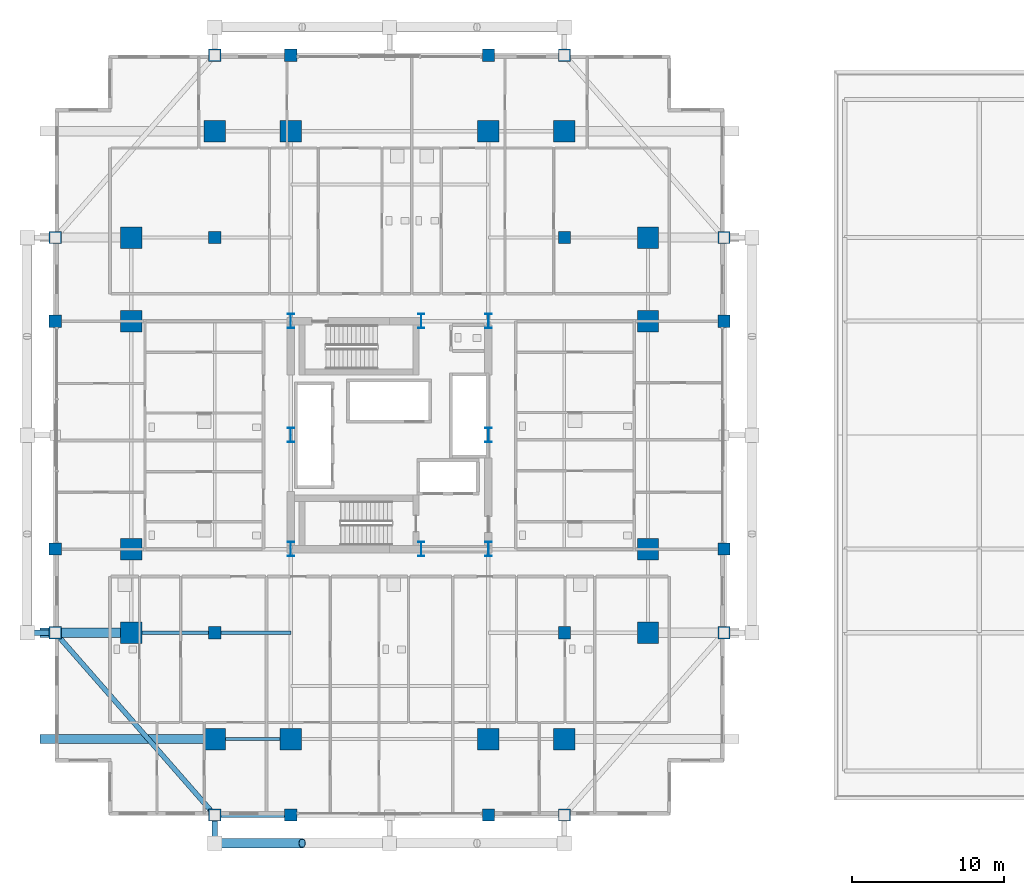
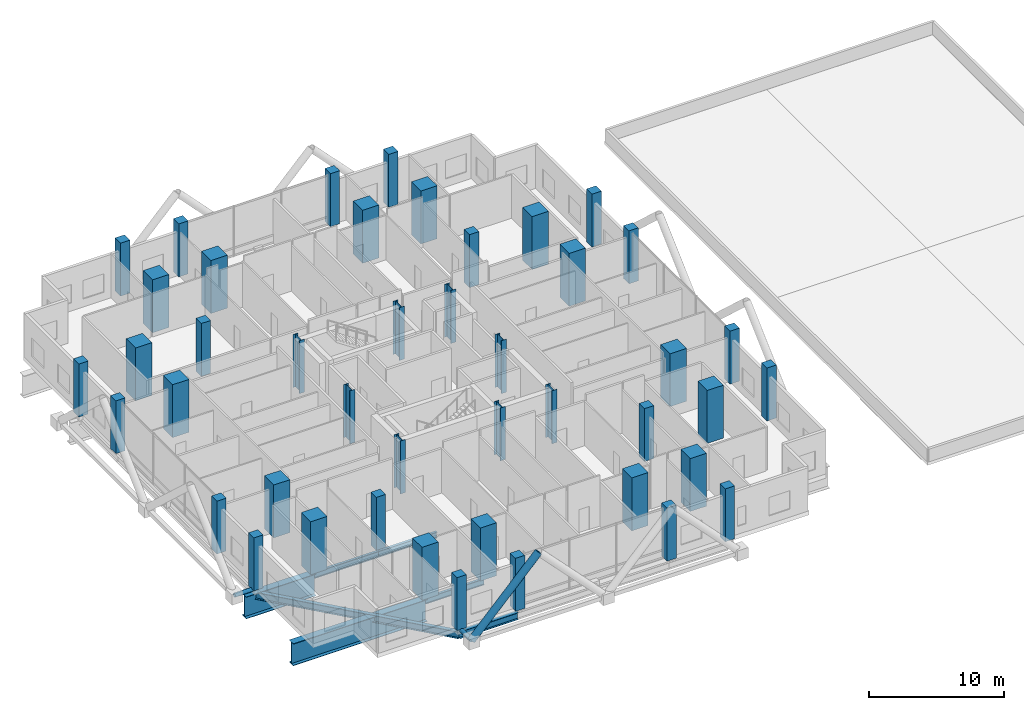
# One storey, part 1 of 33: 44 columns, 7 beams, 3 members.
"""IFC4 building model written with IfcOpenShell, lengths in metres."""

from ifc_helpers import new_model, si_unit, direction, frame, origin, origin_2d, place, context, subcontext, project, spatial, rectangle, hollow_circle, i_section, extrude, material, material_profile, profile_set, type_object, element, save


model = new_model("IFC4")

# Units and contexts
model_context = context("Model", 3, precision=1e-05, world=origin(), true_north=direction((0.0, 1.0)))
body_context = subcontext(model_context, "Body", "Model", "MODEL_VIEW")
ifc_project = project(units=[si_unit("LENGTHUNIT", "METRE"), si_unit("AREAUNIT", "SQUARE_METRE"), si_unit("VOLUMEUNIT", "CUBIC_METRE"), si_unit("PLANEANGLEUNIT", "RADIAN"), si_unit("MASSUNIT", "GRAM", prefix="KILO")], contexts=[model_context])

# Site, building, storey
site_placement = place(None, origin())
site = spatial("IfcSite", under=ifc_project, at=site_placement, CompositionType="ELEMENT")
building_placement = place(site_placement, origin())
building = spatial("IfcBuilding", under=site, at=building_placement, Name="Barlavira Tower and Art Museum", CompositionType="ELEMENT")
storey_placement = place(building_placement, frame((0.0, 0.0, 27.60009765625)))
storey = spatial("IfcBuildingStorey", under=building, at=storey_placement, Name="L05", CompositionType="ELEMENT", Elevation=27.60009765625)

# Columns
ifc_material_1 = material(Name="Steel S355", Category="steel")
ifc_material_profile_1 = material_profile(ifc_material_1, i_section(OverallWidth=0.419921875, OverallDepth=0.9599609375, WebThickness=0.02197265625, FlangeThickness=0.033935546875, at=origin_2d()), Name="W920x387.0")
ifc_profile_set_1 = profile_set([ifc_material_profile_1], Name="Steel S355")
column_type_1 = type_object("IfcColumnType", Name="Core Composite Column W920x387 Steel S355", PredefinedType="COLUMN", material=ifc_profile_set_1)
for number, where, z_axis, x_axis, name in (
    (1, (-6.5, -7.5, 0.0), (0.0, 0.0, 1.0), (1.0, 0.0, 0.0), "L05 Column CC-L05-C1"),
    (2, (2.080078125, -7.5, 0.0), (0.0, 0.0, 1.0), (1.0, 0.0, 0.0), "L05 Column CC-L05-C2"),
    (3, (6.5, -7.5, 0.0), (0.0, 0.0, 1.0), (1.0, 0.0, 0.0), "L05 Column CC-L05-C3"),
    (4, (-6.5, 0.0, 0.0), (0.0, 0.0, 1.0), (1.0, 0.0, 0.0), "L05 Column CC-L05-C4"),
    (5, (6.5, 0.0, 0.0), (0.0, 0.0, 1.0), (1.0, 0.0, 0.0), "L05 Column CC-L05-C5"),
    (6, (-6.5, 7.5, 0.0), (0.0, 0.0, 1.0), (1.0, 0.0, 0.0), "L05 Column CC-L05-C6"),
    (7, (2.080078125, 7.5, 0.0), (0.0, 0.0, 1.0), (1.0, 0.0, 0.0), "L05 Column CC-L05-C7"),
    (8, (6.5, 7.5, 0.0), (0.0, 0.0, 1.0), (1.0, 0.0, 0.0), "L05 Column CC-L05-C8"),
):
    element("IfcColumn", number, at=place(storey_placement, frame(where, z_axis=z_axis, x_axis=x_axis)), inside=storey, type_object=column_type_1, Name=name, PredefinedType="COLUMN", context=body_context, shape_type="SweptSolid", body=[
        extrude(i_section(OverallWidth=0.419921875, OverallDepth=0.9599609375, WebThickness=0.02197265625, FlangeThickness=0.033935546875, at=origin_2d()), origin(), (0.0, 0.0, 1.0), 4.7998046875),
    ])
ifc_material_2 = material(Name="Concrete C60", Category="concrete")
ifc_material_profile_2 = material_profile(ifc_material_2, rectangle(XDim=1.39990234375, YDim=1.39990234375, at=origin_2d()), Name="RC-MCOL 1400x1400")
ifc_profile_set_2 = profile_set([ifc_material_profile_2], Name="Concrete C60")
column_type_2 = type_object("IfcColumnType", Name="Perimeter Mega Column 1400x1400 Concrete C60", PredefinedType="USERDEFINED", material=ifc_profile_set_2)
for number, where, z_axis, x_axis, name in (
    (9, (-11.5, -20.0, 0.0), (0.0, 0.0, 1.0), (1.0, 0.0, 0.0), "L05 Column MC-L05-M01"),
    (10, (-6.5, -20.0, 0.0), (0.0, 0.0, 1.0), (1.0, 0.0, 0.0), "L05 Column MC-L05-M02"),
    (11, (6.5, -20.0, 0.0), (0.0, 0.0, 1.0), (1.0, 0.0, 0.0), "L05 Column MC-L05-M03"),
    (12, (11.5, -20.0, 0.0), (0.0, 0.0, 1.0), (1.0, 0.0, 0.0), "L05 Column MC-L05-M04"),
    (13, (17.0, -13.0, 0.0), (0.0, 0.0, 1.0), (1.0, 0.0, 0.0), "L05 Column MC-L05-M05"),
    (14, (17.0, -7.5, 0.0), (0.0, 0.0, 1.0), (1.0, 0.0, 0.0), "L05 Column MC-L05-M06"),
    (15, (17.0, 7.5, 0.0), (0.0, 0.0, 1.0), (1.0, 0.0, 0.0), "L05 Column MC-L05-M07"),
    (16, (17.0, 13.0, 0.0), (0.0, 0.0, 1.0), (1.0, 0.0, 0.0), "L05 Column MC-L05-M08"),
    (17, (11.5, 20.0, 0.0), (0.0, 0.0, 1.0), (1.0, 0.0, 0.0), "L05 Column MC-L05-M09"),
    (18, (6.5, 20.0, 0.0), (0.0, 0.0, 1.0), (1.0, 0.0, 0.0), "L05 Column MC-L05-M10"),
    (19, (-6.5, 20.0, 0.0), (0.0, 0.0, 1.0), (1.0, 0.0, 0.0), "L05 Column MC-L05-M11"),
    (20, (-11.5, 20.0, 0.0), (0.0, 0.0, 1.0), (1.0, 0.0, 0.0), "L05 Column MC-L05-M12"),
    (21, (-17.0, 13.0, 0.0), (0.0, 0.0, 1.0), (1.0, 0.0, 0.0), "L05 Column MC-L05-M13"),
    (22, (-17.0, 7.5, 0.0), (0.0, 0.0, 1.0), (1.0, 0.0, 0.0), "L05 Column MC-L05-M14"),
    (23, (-17.0, -7.5, 0.0), (0.0, 0.0, 1.0), (1.0, 0.0, 0.0), "L05 Column MC-L05-M15"),
    (24, (-17.0, -13.0, 0.0), (0.0, 0.0, 1.0), (1.0, 0.0, 0.0), "L05 Column MC-L05-M16"),
):
    element("IfcColumn", number, at=place(storey_placement, frame(where, z_axis=z_axis, x_axis=x_axis)), inside=storey, type_object=column_type_2, Name=name, ObjectType="MEGA COLUMN", PredefinedType="USERDEFINED", context=body_context, shape_type="SweptSolid", body=[
        extrude(rectangle(XDim=1.39990234375, YDim=1.39990234375, at=origin_2d()), origin(), (0.0, 0.0, 1.0), 4.7998046875),
    ])
ifc_material_3 = material(Name="Concrete C50", Category="concrete")
ifc_material_profile_3 = material_profile(ifc_material_3, rectangle(XDim=0.800048828125, YDim=0.800048828125, at=origin_2d()), Name="RC-COL 800x800")
ifc_profile_set_3 = profile_set([ifc_material_profile_3], Name="Concrete C50")
column_type_3 = type_object("IfcColumnType", Name="Podium Frame Column 800x800 Concrete C50", PredefinedType="COLUMN", material=ifc_profile_set_3)
for number, where, z_axis, x_axis, name in (
    (25, (-11.5, -13.0, 0.0), (0.0, 0.0, 1.0), (1.0, 0.0, 0.0), "L05 Column CI-L05-I1"),
    (26, (11.5, -13.0, 0.0), (0.0, 0.0, 1.0), (1.0, 0.0, 0.0), "L05 Column CI-L05-I2"),
    (27, (-11.5, 13.0, 0.0), (0.0, 0.0, 1.0), (1.0, 0.0, 0.0), "L05 Column CI-L05-I3"),
    (28, (11.5, 13.0, 0.0), (0.0, 0.0, 1.0), (1.0, 0.0, 0.0), "L05 Column CI-L05-I4"),
    (29, (-11.5, -25.0, 0.0), (0.0, 0.0, 1.0), (1.0, 0.0, 0.0), "L05 Column CZ1-L05-N01"),
    (30, (-6.5, -25.0, 0.0), (0.0, 0.0, 1.0), (1.0, 0.0, 0.0), "L05 Column CZ1-L05-N02"),
    (31, (6.5, -25.0, 0.0), (0.0, 0.0, 1.0), (1.0, 0.0, 0.0), "L05 Column CZ1-L05-N02B"),
    (32, (11.5, -25.0, 0.0), (0.0, 0.0, 1.0), (1.0, 0.0, 0.0), "L05 Column CZ1-L05-N03"),
    (33, (-22.0, -13.0, 0.0), (0.0, 0.0, 1.0), (1.0, 0.0, 0.0), "L05 Column CZ1-L05-N04"),
    (34, (-22.0, -7.5, 0.0), (0.0, 0.0, 1.0), (1.0, 0.0, 0.0), "L05 Column CZ1-L05-N05"),
    (35, (-22.0, 7.5, 0.0), (0.0, 0.0, 1.0), (1.0, 0.0, 0.0), "L05 Column CZ1-L05-N05B"),
    (36, (-22.0, 13.0, 0.0), (0.0, 0.0, 1.0), (1.0, 0.0, 0.0), "L05 Column CZ1-L05-N06"),
    (37, (-11.5, 25.0, 0.0), (0.0, 0.0, 1.0), (1.0, 0.0, 0.0), "L05 Column CZ1-L05-N07"),
    (38, (-6.5, 25.0, 0.0), (0.0, 0.0, 1.0), (1.0, 0.0, 0.0), "L05 Column CZ1-L05-N08"),
    (39, (6.5, 25.0, 0.0), (0.0, 0.0, 1.0), (1.0, 0.0, 0.0), "L05 Column CZ1-L05-N08B"),
    (40, (11.5, 25.0, 0.0), (0.0, 0.0, 1.0), (1.0, 0.0, 0.0), "L05 Column CZ1-L05-N09"),
    (41, (22.0, -13.0, 0.0), (0.0, 0.0, 1.0), (1.0, 0.0, 0.0), "L05 Column CZ1-L05-N10"),
    (42, (22.0, -7.5, 0.0), (0.0, 0.0, 1.0), (1.0, 0.0, 0.0), "L05 Column CZ1-L05-N11"),
    (43, (22.0, 7.5, 0.0), (0.0, 0.0, 1.0), (1.0, 0.0, 0.0), "L05 Column CZ1-L05-N11B"),
    (44, (22.0, 13.0, 0.0), (0.0, 0.0, 1.0), (1.0, 0.0, 0.0), "L05 Column CZ1-L05-N12"),
):
    element("IfcColumn", number, at=place(storey_placement, frame(where, z_axis=z_axis, x_axis=x_axis)), inside=storey, type_object=column_type_3, Name=name, PredefinedType="COLUMN", context=body_context, shape_type="SweptSolid", body=[
        extrude(rectangle(XDim=0.800048828125, YDim=0.800048828125, at=origin_2d()), origin(), (0.0, 0.0, 1.0), 4.7998046875),
    ])

# Members
ifc_material_profile_4 = material_profile(ifc_material_1, hollow_circle(Radius=0.304931640625, WallThickness=0.028076171875, at=origin_2d()), Name="CHS 610.0x28.0")
ifc_profile_set_4 = profile_set([ifc_material_profile_4], Name="Steel S355")
member_type_1 = type_object("IfcMemberType", Name="Pale-Metal Exoskeleton Diagrid Tube CHS 610x28 Steel S355", PredefinedType="BRACE", material=ifc_profile_set_4)
member_placement = place(storey_placement, frame((-11.5, -26.85009765625, -0.1201171875), z_axis=(0.691905363236, 0.0, 0.721988205115), x_axis=(0.0, 1.0, 0.0)))
element("IfcMember", 45, at=member_placement, inside=storey, type_object=member_type_1, Name="L05 Exoskeleton Diagrid Tube S", PredefinedType="BRACE", context=body_context, shape_type="SweptSolid", body=[
    extrude(hollow_circle(Radius=0.304931640625, WallThickness=0.028076171875, at=origin_2d()), origin(), (0.0, 0.0, 1.0), 8.310302734375),
])
ifc_material_profile_5 = material_profile(ifc_material_1, hollow_circle(Radius=0.177734375, WallThickness=0.01611328125, at=origin_2d()), Name="CHS 355.6x16.0")
ifc_profile_set_5 = profile_set([ifc_material_profile_5], Name="Steel S355")
member_type_2 = type_object("IfcMemberType", Name="Pale-Metal Exoskeleton Tie Strut CHS 356x16 Steel S355", PredefinedType="STRUT", material=ifc_profile_set_5)
for number, where, z_axis, x_axis, name in (
    (46, (-11.5, -26.85009765625, -0.1201171875), (0.0, 1.0, 0.0), (-1.0, 0.0, 0.0), "L05 Exoskeleton Tie Strut S1"),
    (47, (-23.85009765625, -13.0, -0.1201171875), (1.0, 0.0, 0.0), (0.0, 1.0, 0.0), "L05 Exoskeleton Tie Strut W1"),
):
    element("IfcMember", number, at=place(storey_placement, frame(where, z_axis=z_axis, x_axis=x_axis)), inside=storey, type_object=member_type_2, Name=name, PredefinedType="STRUT", context=body_context, shape_type="SweptSolid", body=[
        extrude(hollow_circle(Radius=0.177734375, WallThickness=0.01611328125, at=origin_2d()), origin(), (0.0, 0.0, 1.0), 1.85009765625),
    ])

# Beams
ifc_material_profile_6 = material_profile(ifc_material_1, i_section(OverallWidth=0.327880859375, OverallDepth=0.62890625, WebThickness=0.013916015625, FlangeThickness=0.021484375, at=origin_2d()), Name="W610x174.0")
ifc_profile_set_6 = profile_set([ifc_material_profile_6], Name="Steel S355")
beam_type_1 = type_object("IfcBeamType", Name="Perimeter Spandrel Edge Beam W610x174 Steel S355", PredefinedType="SPANDREL", material=ifc_profile_set_6)
beam_1_placement = place(storey_placement, frame((-11.5, -25.0, -0.714599609375), z_axis=(1.0, 0.0, 0.0), x_axis=(0.0, 1.0, 0.0)))
element("IfcBeam", 48, at=beam_1_placement, inside=storey, type_object=beam_type_1, Name="L05 Spandrel 1", PredefinedType="SPANDREL", context=body_context, shape_type="SweptSolid", body=[
    extrude(i_section(OverallWidth=0.327880859375, OverallDepth=0.62890625, WebThickness=0.013916015625, FlangeThickness=0.021484375, at=origin_2d()), origin(), (0.0, 0.0, 1.0), 5.0),
])
beam_2_placement = place(storey_placement, frame((-22.0, -13.0, -0.714599609375), z_axis=(0.658504607869, -0.752576694707, 0.0), x_axis=(0.752576694707, 0.658504607869, 0.0)))
element("IfcBeam", 49, at=beam_2_placement, inside=storey, type_object=beam_type_1, Name="L05 Spandrel 16", PredefinedType="SPANDREL", context=body_context, shape_type="SweptSolid", body=[
    extrude(i_section(OverallWidth=0.327880859375, OverallDepth=0.62890625, WebThickness=0.013916015625, FlangeThickness=0.021484375, at=origin_2d()), origin(), (0.0, 0.0, 1.0), 15.9453125),
])
ifc_material_profile_7 = material_profile(ifc_material_1, i_section(OverallWidth=0.60009765625, OverallDepth=2.0, WebThickness=0.028076171875, FlangeThickness=0.034912109375, at=origin_2d()), Name="CVS2000x580")
ifc_profile_set_7 = profile_set([ifc_material_profile_7], Name="Steel S355")
beam_type_2 = type_object("IfcBeamType", Name="Podium Top Transfer Girder CVS2000x580 Steel S355", PredefinedType="USERDEFINED", material=ifc_profile_set_7)
beam_3_placement = place(storey_placement, frame((-23.0, -20.0, -1.400146484375), z_axis=(1.0, 0.0, 0.0), x_axis=(0.0, 1.0, 0.0)))
element("IfcBeam", 50, at=beam_3_placement, inside=storey, type_object=beam_type_2, Name="L05 Transfer Girder TG05-01", ObjectType="TRANSFER GIRDER", PredefinedType="USERDEFINED", context=body_context, shape_type="SweptSolid", body=[
    extrude(i_section(OverallWidth=0.60009765625, OverallDepth=2.0, WebThickness=0.028076171875, FlangeThickness=0.034912109375, at=origin_2d()), origin(), (0.0, 0.0, 1.0), 11.5),
])
beam_4_placement = place(storey_placement, frame((-23.0, -13.0, -1.400146484375), z_axis=(1.0, 0.0, 0.0), x_axis=(0.0, 1.0, 0.0)))
element("IfcBeam", 51, at=beam_4_placement, inside=storey, type_object=beam_type_2, Name="L05 Transfer Girder TG05-05", ObjectType="TRANSFER GIRDER", PredefinedType="USERDEFINED", context=body_context, shape_type="SweptSolid", body=[
    extrude(i_section(OverallWidth=0.60009765625, OverallDepth=2.0, WebThickness=0.028076171875, FlangeThickness=0.034912109375, at=origin_2d()), origin(), (0.0, 0.0, 1.0), 6.0),
])
ifc_material_profile_8 = material_profile(ifc_material_1, i_section(OverallWidth=0.214111328125, OverallDepth=0.549072265625, WebThickness=0.0146484375, FlangeThickness=0.023681640625, at=origin_2d()), Name="W530x138.0")
ifc_profile_set_8 = profile_set([ifc_material_profile_8], Name="Steel S355")
beam_type_3 = type_object("IfcBeamType", Name="Zone 1 Primary Floor Girder W530x138 Steel S355", PredefinedType="BEAM", material=ifc_profile_set_8)
beam_5_placement = place(storey_placement, frame((-11.5, -20.0, -0.674560546875), z_axis=(1.0, 0.0, 0.0), x_axis=(0.0, 1.0, 0.0)))
element("IfcBeam", 52, at=beam_5_placement, inside=storey, type_object=beam_type_3, Name="L05 Girder M-S1", PredefinedType="BEAM", context=body_context, shape_type="SweptSolid", body=[
    extrude(i_section(OverallWidth=0.214111328125, OverallDepth=0.549072265625, WebThickness=0.0146484375, FlangeThickness=0.023681640625, at=origin_2d()), origin(), (0.0, 0.0, 1.0), 5.0),
])
beam_6_placement = place(storey_placement, frame((-17.0, -13.0, -0.674560546875), z_axis=(1.0, 0.0, 0.0), x_axis=(0.0, 1.0, 0.0)))
element("IfcBeam", 53, at=beam_6_placement, inside=storey, type_object=beam_type_3, Name="L05 Girder I-S1", PredefinedType="BEAM", context=body_context, shape_type="SweptSolid", body=[
    extrude(i_section(OverallWidth=0.214111328125, OverallDepth=0.549072265625, WebThickness=0.0146484375, FlangeThickness=0.023681640625, at=origin_2d()), origin(), (0.0, 0.0, 1.0), 5.5),
])
beam_7_placement = place(storey_placement, frame((-11.5, -13.0, -0.674560546875), z_axis=(1.0, 0.0, 0.0), x_axis=(0.0, 1.0, 0.0)))
element("IfcBeam", 54, at=beam_7_placement, inside=storey, type_object=beam_type_3, Name="L05 Girder I-S2", PredefinedType="BEAM", context=body_context, shape_type="SweptSolid", body=[
    extrude(i_section(OverallWidth=0.214111328125, OverallDepth=0.549072265625, WebThickness=0.0146484375, FlangeThickness=0.023681640625, at=origin_2d()), origin(), (0.0, 0.0, 1.0), 5.0),
])

save(model, "model.ifc")
